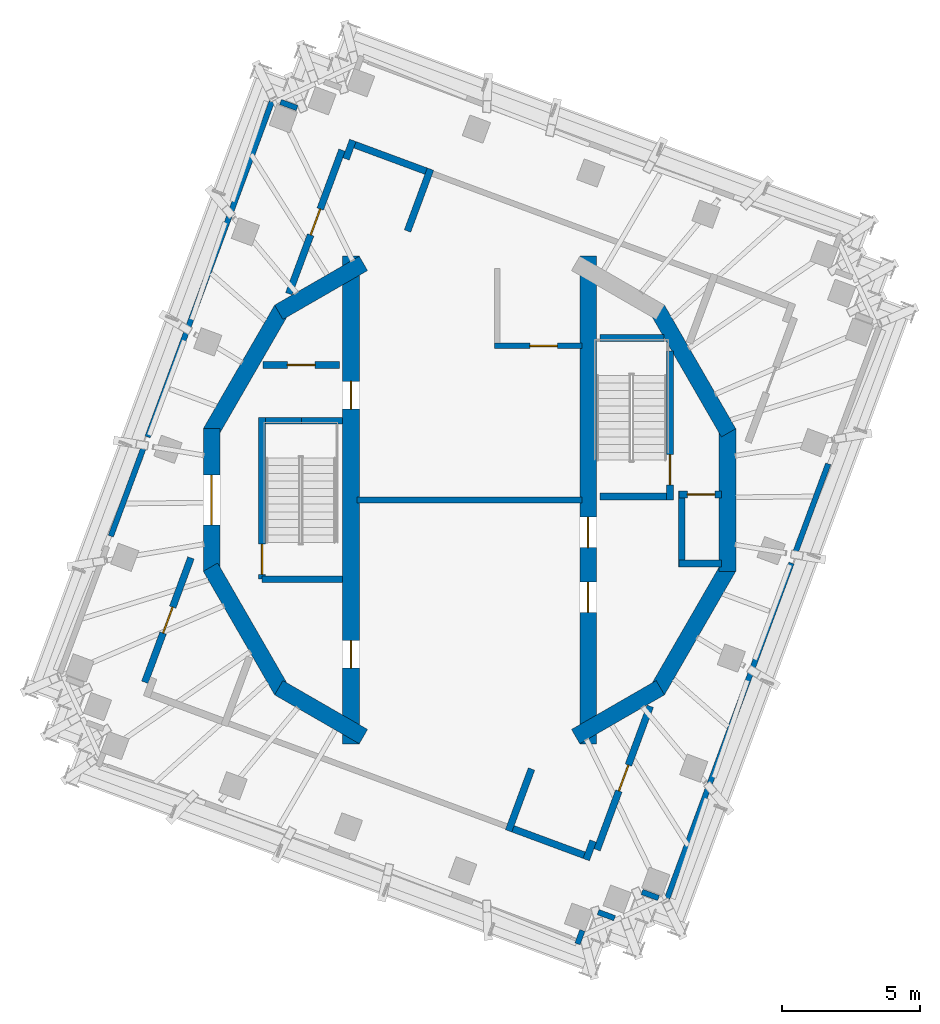
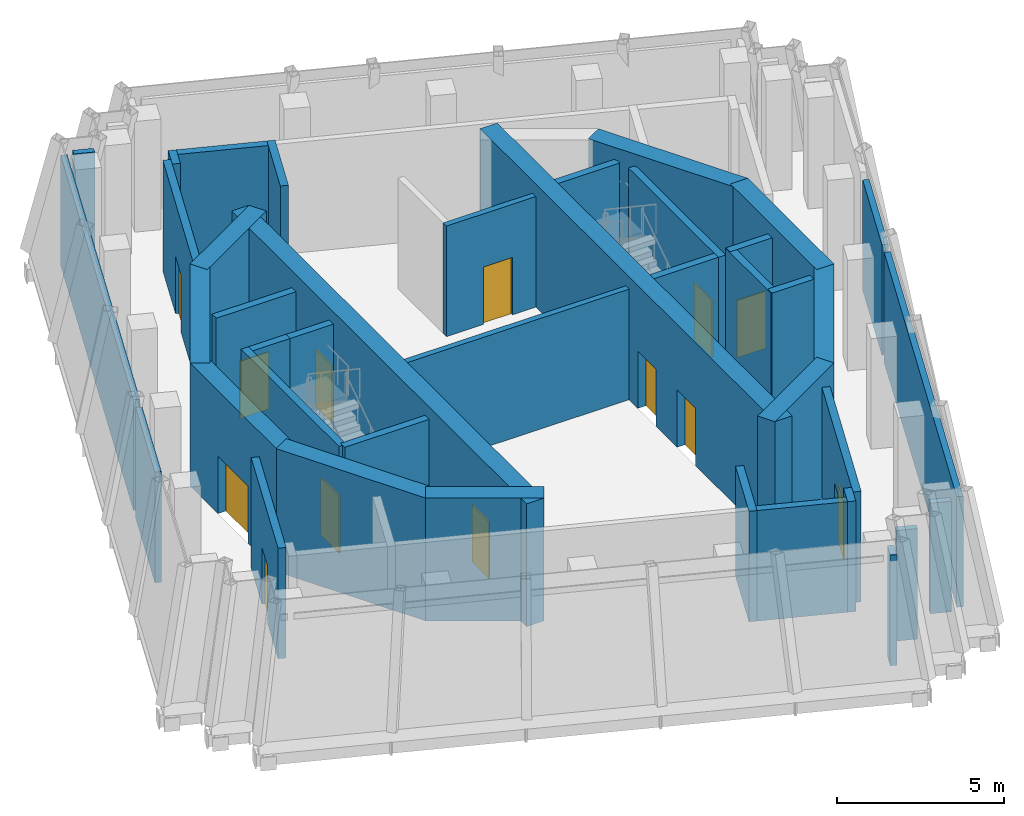
# One storey, part 5 of 12: 41 walls, 13 doors, 13 openings.
"""IFC4 building model written with IfcOpenShell, lengths in metres."""

import ifcopenshell
import ifcopenshell.guid

model = None  # the IFC model being written
_history = None  # IfcOwnerHistory: only IFC2X3 demands one
_inside = {}  # id of a spatial element -> (the spatial element, [elements in it])
_under = {}  # id of a project, library or spatial element -> (it, [spatial elements below it])
_declared = {}  # id of a project -> (the project, [libraries it declares])
_typed = {}  # id of a type object -> (the type object, [elements of that type])
_made_of = {}  # id of a material, layer set ... -> (it, [elements and type objects made of it])


def new_model(schema):
    """Start an empty IFC model of exactly this schema.

    Asked for "IFC4X3", IfcOpenShell would pick the latest addendum, in which some entities
    have other attributes; the version numbers below select the first issue.
    IFC2X3 requires an IfcOwnerHistory on every rooted entity: one is made here for all.
    """
    global model, _history
    if schema == "IFC4X3":
        model = ifcopenshell.file(schema_version=(4, 3, 0, 0))
    else:
        model = ifcopenshell.file(schema=schema)
    _inside.clear()
    _under.clear()
    _declared.clear()
    _typed.clear()
    _made_of.clear()
    _history = None
    if model.schema == "IFC2X3":
        org = make("IfcOrganization", Name="unknown")
        user = make(
            "IfcPersonAndOrganization",
            ThePerson=make("IfcPerson", FamilyName="unknown"),
            TheOrganization=org,
        )
        app = make(
            "IfcApplication",
            ApplicationDeveloper=org,
            Version="unknown",
            ApplicationFullName="unknown",
            ApplicationIdentifier="unknown",
        )
        _history = make(
            "IfcOwnerHistory",
            OwningUser=user,
            OwningApplication=app,
            ChangeAction="ADDED",
            CreationDate=0,
        )
    return model


def make(cls, **values):
    """One entity of the class cls with the attributes given. An attribute that is None is left unset."""
    return model.create_entity(
        cls, **{name: value for name, value in values.items() if value is not None}
    )


def rooted(cls, **values):
    """An entity with a GlobalId (a new one), such as an element, a storey or a relation."""
    return make(cls, GlobalId=ifcopenshell.guid.new(), OwnerHistory=_history, **values)


def si_unit(unit_type, name, prefix=None):
    """IfcSIUnit, for example si_unit("LENGTHUNIT", "METRE", prefix="MILLI")."""
    return make("IfcSIUnit", UnitType=unit_type, Prefix=prefix, Name=name)


def assignment(units):
    """IfcUnitAssignment: the units of a project."""
    return None if units is None else make("IfcUnitAssignment", Units=units)


def point(xyz):
    """IfcCartesianPoint."""
    return None if xyz is None else make("IfcCartesianPoint", Coordinates=xyz)


def direction(xyz):
    """IfcDirection."""
    return None if xyz is None else make("IfcDirection", DirectionRatios=xyz)


def frame(location, z_axis=None, x_axis=None):
    """IfcAxis2Placement3D, a coordinate frame: its origin and axes. An axis left out is left unset."""
    return make(
        "IfcAxis2Placement3D",
        Location=point(location),
        Axis=direction(z_axis),
        RefDirection=direction(x_axis),
    )


def frame_2d(location, x_axis=None):
    """IfcAxis2Placement2D, a coordinate frame in the plane: its origin and x axis."""
    return make(
        "IfcAxis2Placement2D", Location=point(location), RefDirection=direction(x_axis)
    )


def origin():
    """The frame at (0, 0, 0) with its axes left unset."""
    return frame((0.0, 0.0, 0.0))


def place(relative_to, where):
    """IfcLocalPlacement: puts the frame where relative to a parent placement (None: the world)."""
    return make(
        "IfcLocalPlacement", PlacementRelTo=relative_to, RelativePlacement=where
    )


def context(
    kind, dimensions, precision=None, world=None, true_north=None, identifier=None
):
    """IfcGeometricRepresentationContext, for example the 3D "Model" context."""
    return make(
        "IfcGeometricRepresentationContext",
        ContextIdentifier=identifier,
        ContextType=kind,
        CoordinateSpaceDimension=dimensions,
        Precision=precision,
        WorldCoordinateSystem=world,
        TrueNorth=true_north,
    )


def subcontext(parent, identifier, kind, view, scale=None):
    """IfcGeometricRepresentationSubContext, for example "Body" below "Model"."""
    return make(
        "IfcGeometricRepresentationSubContext",
        ContextIdentifier=identifier,
        ContextType=kind,
        ParentContext=parent,
        TargetScale=scale,
        TargetView=view,
    )


def project(units=None, contexts=None):
    """IfcProject with its units and contexts."""
    return rooted(
        "IfcProject",
        Name="project",
        RepresentationContexts=contexts,
        UnitsInContext=assignment(units),
    )


def spatial(cls, under=None, at=None, **own):
    """A site, building, storey or space (cls), placed at a placement, below another one or the project."""
    s = rooted(cls, ObjectPlacement=at, **own)
    if under is not None:
        _under.setdefault(under.id(), (under, []))[1].append(s)
    return s


def profile(cls, at=None, kind="AREA", **sizes):
    """A parametric profile (cls). Its sizes go by their IFC names, for example OverallWidth=200.0."""
    return make(cls, ProfileType=kind, Position=at, **sizes)


def rectangle(**sizes):
    """IfcRectangleProfileDef."""
    return profile("IfcRectangleProfileDef", **sizes)


def extrude(swept, where, along, depth):
    """IfcExtrudedAreaSolid: the profile swept, set in the frame where, extruded along a direction by depth."""
    return make(
        "IfcExtrudedAreaSolid",
        SweptArea=swept,
        Position=where,
        ExtrudedDirection=direction(along),
        Depth=depth,
    )


def shape(context_of_items, identifier, shape_type, items):
    """IfcShapeRepresentation: the items that make up one representation, for example the "Body"."""
    return make(
        "IfcShapeRepresentation",
        ContextOfItems=context_of_items,
        RepresentationIdentifier=identifier,
        RepresentationType=shape_type,
        Items=items,
    )


def material(Name=None, Category=None):
    """IfcMaterial."""
    return make("IfcMaterial", Name=Name, Category=Category)


def layer(
    of_material, thickness, ventilated=None, Name=None, Category=None, Priority=None
):
    """IfcMaterialLayer: one layer of a wall or slab, of a material (None: an air gap)."""
    return make(
        "IfcMaterialLayer",
        Material=of_material,
        LayerThickness=thickness,
        IsVentilated=ventilated,
        Name=Name,
        Category=Category,
        Priority=Priority,
    )


def layer_set(layers, Name=None):
    """IfcMaterialLayerSet."""
    return make("IfcMaterialLayerSet", MaterialLayers=layers, LayerSetName=Name)


def made_of(thing, what):
    """Note that an element or type object is made of a material, layer set ...; save() writes the relation."""
    if what is not None:
        _made_of.setdefault(what.id(), (what, []))[1].append(thing)
    return thing


def type_object(cls, material=None, **own):
    """A type object (cls), such as IfcWallType, which elements share."""
    return made_of(rooted(cls, **own), material)


def element(
    cls,
    number,
    at=None,
    inside=None,
    cuts=None,
    type_object=None,
    material=None,
    context=None,
    identifier="Body",
    shape_type=None,
    held_by="IfcProductDefinitionShape",
    body=None,
    shapes=None,
    **own,
):
    """One element of the class cls, such as IfcWall. Its Tag is "e" and its number.

    at: its placement. inside: the storey or other place that contains it. cuts: it is an
    opening in that element (IfcRelVoidsElement). A single representation is given by context,
    identifier, shape_type and body (its items); several are given by shapes. held_by: the class
    of the entity that holds the representations. save() writes the other relations.
    """
    e = rooted(cls, Tag="e%d" % number, ObjectPlacement=at, **own)
    if body is not None:
        shapes = [shape(context, identifier, shape_type, body)]
    if shapes is not None:
        e.Representation = make(held_by, Representations=shapes)
    if inside is not None:
        _inside.setdefault(inside.id(), (inside, []))[1].append(e)
    if cuts is not None:
        rooted(
            "IfcRelVoidsElement", RelatingBuildingElement=cuts, RelatedOpeningElement=e
        )
    if type_object is not None:
        _typed.setdefault(type_object.id(), (type_object, []))[1].append(e)
    return made_of(e, material)


def fill(opening, filler):
    """IfcRelFillsElement: the door or window that sits in an opening."""
    return rooted(
        "IfcRelFillsElement",
        RelatingOpeningElement=opening,
        RelatedBuildingElement=filler,
    )


def aggregate(whole, parts):
    """IfcRelAggregates: a whole, such as a stair, and the parts it consists of."""
    return rooted("IfcRelAggregates", RelatingObject=whole, RelatedObjects=parts)


def save(model, path):
    """Write the relations noted so far, then the file.

    IfcRelAggregates (storeys below a building ...), IfcRelContainedInSpatialStructure (elements
    in a storey), IfcRelDefinesByType, IfcRelAssociatesMaterial and IfcRelDeclares: one each for
    every whole, place, type object, material and project.
    """
    for whole, parts in _under.values():
        aggregate(whole, parts)
    for where, things in _inside.values():
        rooted(
            "IfcRelContainedInSpatialStructure",
            RelatedElements=things,
            RelatingStructure=where,
        )
    for kind, things in _typed.values():
        rooted("IfcRelDefinesByType", RelatedObjects=things, RelatingType=kind)
    for what, things in _made_of.values():
        rooted("IfcRelAssociatesMaterial", RelatedObjects=things, RelatingMaterial=what)
    for by, libraries in _declared.values():
        rooted("IfcRelDeclares", RelatingContext=by, RelatedDefinitions=libraries)
    model.write(path)


model = new_model("IFC4")

# Units and contexts
model_context = context("Model", 3, precision=1e-05, world=origin(), true_north=direction((0.0, 1.0)))
body_context = subcontext(model_context, "Body", "Model", "MODEL_VIEW")
ifc_project = project(units=[si_unit("LENGTHUNIT", "METRE"), si_unit("AREAUNIT", "SQUARE_METRE"), si_unit("VOLUMEUNIT", "CUBIC_METRE"), si_unit("PLANEANGLEUNIT", "RADIAN"), si_unit("MASSUNIT", "GRAM", prefix="KILO")], contexts=[model_context])

# Site, building, storey
site_placement = place(None, origin())
site = spatial("IfcSite", under=ifc_project, at=site_placement, CompositionType="ELEMENT")
building_placement = place(site_placement, origin())
building = spatial("IfcBuilding", under=site, at=building_placement, Name="Cantera Rosa Tower", CompositionType="ELEMENT")
storey_placement = place(building_placement, frame((0.0, 0.0, 360.699951171875)))
storey = spatial("IfcBuildingStorey", under=building, at=storey_placement, Name="L81", CompositionType="ELEMENT", Elevation=360.699951171875)

# Walls
ifc_material_1 = material(Name="Masonry blockwork", Category="masonry")
ifc_layer_1 = layer(ifc_material_1, 0.199951171875)
ifc_layer_set_1 = layer_set([ifc_layer_1], Name="Blockwork partition 200")
wall_type_1 = type_object("IfcWallType", Name="Blockwork partition 200", PredefinedType="PARTITIONING", material=ifc_layer_set_1)
for number, where, z_axis, x_axis, name in (
    (1, (5.263427734375, -15.173583984375, 0.0), (0.0, 0.0, 1.0), (-0.937670508839, 0.347525562877, 0.0), "Partition L81-26"),
    (2, (6.857177734375, -14.441650390625, 0.0), (0.0, 0.0, 1.0), (-0.937670508839, 0.347525562877, 0.0), "Partition L81-28"),
):
    element("IfcWall", number, at=place(storey_placement, frame(where, z_axis=z_axis, x_axis=x_axis)), inside=storey, type_object=wall_type_1, Name=name, PredefinedType="PARTITIONING", context=body_context, shape_type="SweptSolid", body=[
        extrude(rectangle(XDim=0.639892578125, YDim=0.199951171875, at=frame_2d((0.31982421875, 0.0))), origin(), (0.0, 0.0, 1.0), 4.050048828125),
    ])
wall_1_placement = place(storey_placement, frame((-13.01513671875, -1.3125, 0.0), z_axis=(0.0, 0.0, 1.0), x_axis=(0.347464624202, 0.937693092076, 0.0)))
element("IfcWall", 3, at=wall_1_placement, inside=storey, type_object=wall_type_1, Name="Partition L81-31", PredefinedType="PARTITIONING", context=body_context, shape_type="SweptSolid", body=[
    extrude(rectangle(XDim=3.439453125, YDim=0.199951171875, at=frame_2d((1.7197265625, 0.0))), origin(), (0.0, 0.0, 1.0), 4.050048828125),
])
wall_2_placement = place(storey_placement, frame((-11.680908203125, 2.28759765625, 0.0), z_axis=(0.0, 0.0, 1.0), x_axis=(0.34747861598, 0.937687907268, 0.0)))
element("IfcWall", 4, at=wall_2_placement, inside=storey, type_object=wall_type_1, Name="Partition L81-32", PredefinedType="PARTITIONING", context=body_context, shape_type="SweptSolid", body=[
    extrude(rectangle(XDim=12.972900390625, YDim=0.199951171875, at=frame_2d((6.486328125, 0.0))), origin(), (0.0, 0.0, 1.0), 4.050048828125),
])
wall_3_placement = place(storey_placement, frame((-6.257080078125, 14.21923828125, 0.0), z_axis=(0.0, 0.0, 1.0), x_axis=(-0.937670508839, 0.347525562877, 0.0)))
element("IfcWall", 5, at=wall_3_placement, inside=storey, type_object=wall_type_1, Name="Partition L81-34", PredefinedType="PARTITIONING", context=body_context, shape_type="SweptSolid", body=[
    extrude(rectangle(XDim=0.639892578125, YDim=0.199951171875, at=frame_2d((0.31982421875, 0.0))), origin(), (0.0, 0.0, 1.0), 4.050048828125),
])
wall_4_placement = place(storey_placement, frame((3.91650390625, -16.103271484375, 0.0), z_axis=(0.0, 0.0, 1.0), x_axis=(0.347391322771, 0.937720250855, 0.0)))
element("IfcWall", 6, at=wall_4_placement, inside=storey, type_object=wall_type_1, Name="Partition L81-38", PredefinedType="PARTITIONING", context=body_context, shape_type="SweptSolid", body=[
    extrude(rectangle(XDim=0.5166015625, YDim=0.199951171875, at=frame_2d((0.25830078125, 0.0))), origin(), (0.0, 0.0, 1.0), 4.050048828125),
])
wall_5_placement = place(storey_placement, frame((7.173095703125, -14.4521484375, 0.0), z_axis=(0.0, 0.0, 1.0), x_axis=(0.34747861598, 0.937687907268, 0.0)))
element("IfcWall", 7, at=wall_5_placement, inside=storey, type_object=wall_type_1, Name="Partition L81-40", PredefinedType="PARTITIONING", context=body_context, shape_type="SweptSolid", body=[
    extrude(rectangle(XDim=12.972900390625, YDim=0.199951171875, at=frame_2d((6.486328125, 0.0))), origin(), (0.0, 0.0, 1.0), 4.050048828125),
])
wall_6_placement = place(storey_placement, frame((11.820068359375, -1.91259765625, 0.0), z_axis=(0.0, 0.0, 1.0), x_axis=(0.347464624202, 0.937693092076, 0.0)))
element("IfcWall", 8, at=wall_6_placement, inside=storey, type_object=wall_type_1, Name="Partition L81-41", PredefinedType="PARTITIONING", context=body_context, shape_type="SweptSolid", body=[
    extrude(rectangle(XDim=3.439453125, YDim=0.199951171875, at=frame_2d((1.7197265625, 0.0))), origin(), (0.0, 0.0, 1.0), 4.050048828125),
])

# Wall, opening, door
wall_7_placement = place(storey_placement, frame((0.89990234375, 5.593994140625, 0.0), z_axis=(0.0, 0.0, 1.0), x_axis=(1.0, 0.0, 0.0)))
wall_7 = element("IfcWall", 9, at=wall_7_placement, inside=storey, type_object=wall_type_1, Name="Partition L81-STORE-A", PredefinedType="PARTITIONING", context=body_context, shape_type="SweptSolid", body=[
    extrude(rectangle(XDim=3.175048828125, YDim=0.199951171875, at=frame_2d((1.58740234375, 0.0))), origin(), (0.0, 0.0, 1.0), 4.050048828125),
])
opening_1_placement = place(wall_7_placement, frame((1.28759765625, 0.0, 0.0)))
opening_1 = element("IfcOpeningElement", 10, at=opening_1_placement, cuts=wall_7, Name="Opening L81-ST", PredefinedType="OPENING", context=body_context, shape_type="SweptSolid", body=[
    extrude(rectangle(XDim=1.0, YDim=2.10009765625, at=frame_2d((0.5, 1.050048828125))), frame((0.0, 0.10986328125, 0.0), z_axis=(0.0, -1.0, 0.0), x_axis=(1.0, 0.0, 0.0)), (0.0, 0.0, 1.0), 0.219970703125),
])
ifc_material_2 = material(Name="Timber", Category="wood")
door_type_1 = type_object("IfcDoorType", Name="Door 1000x2100", OperationType="NOTDEFINED", PredefinedType="DOOR", material=ifc_material_2)
door_1_placement = place(opening_1_placement, origin())
door_1 = element("IfcDoor", 11, at=door_1_placement, inside=storey, type_object=door_type_1, Name="Door L81-ST", OverallHeight=2.10009765625, OverallWidth=1.0, PredefinedType="DOOR", context=body_context, shape_type="SweptSolid", body=[
    extrude(rectangle(XDim=1.0, YDim=2.10009765625, at=frame_2d((0.5, 1.050048828125))), frame((0.0, 0.02490234375, 0.0), z_axis=(0.0, -1.0, 0.0), x_axis=(1.0, 0.0, 0.0)), (0.0, 0.0, 1.0), 0.050048828125),
])
fill(opening_1, door_1)

# Walls
wall_8_placement = place(storey_placement, frame((-4.074951171875, 0.0, 0.0), z_axis=(0.0, 0.0, 1.0), x_axis=(1.0, 0.0, 0.0)))
element("IfcWall", 12, at=wall_8_placement, inside=storey, type_object=wall_type_1, Name="Partition L81-SLOT", PredefinedType="PARTITIONING", context=body_context, shape_type="SweptSolid", body=[
    extrude(rectangle(XDim=8.14990234375, YDim=0.199951171875, at=frame_2d((4.074951171875, 0.0))), origin(), (0.0, 0.0, 1.0), 4.050048828125),
])
ifc_material_3 = material(Name="Masonry blockwork", Category="masonry")
ifc_layer_2 = layer(ifc_material_3, 0.25)
ifc_layer_set_2 = layer_set([ifc_layer_2], Name="Fire-rated external wall 250")
wall_type_2 = type_object("IfcWallType", Name="Fire-rated external wall 250", PredefinedType="PARTITIONING", material=ifc_layer_set_2)
for number, where, z_axis, x_axis, name in (
    (13, (-2.2490234375, 9.75927734375, 0.0), (0.0, 0.0, 1.0), (0.347500323274, 0.937679862919, 0.0), "Fire wall L81-2"),
    (14, (1.4169921875, -12.00439453125, 0.0), (0.0, 0.0, 1.0), (0.347500323274, 0.937679862919, 0.0), "Fire wall L81-21"),
):
    element("IfcWall", number, at=place(storey_placement, frame(where, z_axis=z_axis, x_axis=x_axis)), inside=storey, type_object=wall_type_2, Name=name, PredefinedType="PARTITIONING", context=body_context, shape_type="SweptSolid", body=[
        extrude(rectangle(XDim=2.394287109375, YDim=0.25, at=frame_2d((1.197265625, 0.0))), origin(), (0.0, 0.0, 1.0), 4.050048828125),
    ])
ifc_material_4 = material(Name="Masonry blockwork", Category="masonry")
ifc_layer_3 = layer(ifc_material_4, 0.25)
ifc_layer_set_3 = layer_set([ifc_layer_3], Name="Fire-rated wall 250")
wall_type_3 = type_object("IfcWallType", Name="Fire-rated wall 250", PredefinedType="PARTITIONING", material=ifc_layer_set_3)
wall_9_placement = place(storey_placement, frame((4.15966796875, -12.887451171875, 0.0), z_axis=(0.0, 0.0, 1.0), x_axis=(-0.937692064281, 0.347467397874, 0.0)))
element("IfcWall", 15, at=wall_9_placement, inside=storey, type_object=wall_type_3, Name="Fire wall L81-3", PredefinedType="PARTITIONING", context=body_context, shape_type="SweptSolid", body=[
    extrude(rectangle(XDim=2.753662109375, YDim=0.25, at=frame_2d((1.376953125, 0.0))), origin(), (0.0, 0.0, 1.0), 4.050048828125),
])
wall_10_placement = place(storey_placement, frame((-4.483154296875, 12.373779296875, 0.0), z_axis=(0.0, 0.0, 1.0), x_axis=(0.347325413636, 0.937744665164, 0.0)))
element("IfcWall", 16, at=wall_10_placement, inside=storey, type_object=wall_type_3, Name="Fire wall L81-7", PredefinedType="PARTITIONING", context=body_context, shape_type="SweptSolid", body=[
    extrude(rectangle(XDim=0.718994140625, YDim=0.25, at=frame_2d((0.359375, 0.0))), origin(), (0.0, 0.0, 1.0), 4.050048828125),
])

# Wall, opening, door
wall_11_placement = place(storey_placement, frame((-11.7802734375, -6.613525390625, 0.0), z_axis=(0.0, 0.0, 1.0), x_axis=(0.347535704598, 0.937666749986, 0.0)))
wall_11 = element("IfcWall", 17, at=wall_11_placement, inside=storey, type_object=wall_type_3, Name="Fire wall L81-8", PredefinedType="PARTITIONING", context=body_context, shape_type="SweptSolid", body=[
    extrude(rectangle(XDim=4.8134765625, YDim=0.25, at=frame_2d((2.40673828125, 0.0))), origin(), (0.0, 0.0, 1.0), 4.050048828125),
])
opening_2_placement = place(wall_11_placement, frame((1.90673828125, 0.0, 0.0)))
opening_2 = element("IfcOpeningElement", 18, at=opening_2_placement, cuts=wall_11, Name="Opening L81-001", PredefinedType="OPENING", context=body_context, shape_type="SweptSolid", body=[
    extrude(rectangle(XDim=1.0, YDim=2.10009765625, at=frame_2d((0.5, 1.050048828125))), frame((0.0, 0.135009765625, 0.0), z_axis=(0.0, -1.0, 0.0), x_axis=(1.0, 0.0, 0.0)), (0.0, 0.0, 1.0), 0.27001953125),
])
ifc_material_5 = material(Name="Steel S355J2 (EN 10025-2)", Category="steel")
door_type_2 = type_object("IfcDoorType", Name="Fire door 1000x2100", OperationType="NOTDEFINED", PredefinedType="DOOR", material=ifc_material_5)
door_2_placement = place(opening_2_placement, origin())
door_2 = element("IfcDoor", 19, at=door_2_placement, inside=storey, type_object=door_type_2, Name="Door L81-001", OverallHeight=2.10009765625, OverallWidth=1.0, PredefinedType="DOOR", context=body_context, shape_type="SweptSolid", body=[
    extrude(rectangle(XDim=1.0, YDim=2.10009765625, at=frame_2d((0.5, 1.050048828125))), frame((0.0, 0.02490234375, 0.0), z_axis=(0.0, -1.0, 0.0), x_axis=(1.0, 0.0, 0.0)), (0.0, 0.0, 1.0), 0.050048828125),
])
fill(opening_2, door_2)

wall_12_placement = place(storey_placement, frame((-6.555908203125, 7.48388671875, 0.0), z_axis=(0.0, 0.0, 1.0), x_axis=(0.347484675767, 0.937685661673, 0.0)))
wall_12 = element("IfcWall", 20, at=wall_12_placement, inside=storey, type_object=wall_type_3, Name="Fire wall L81-11", PredefinedType="PARTITIONING", context=body_context, shape_type="SweptSolid", body=[
    extrude(rectangle(XDim=5.555419921875, YDim=0.25, at=frame_2d((2.77783203125, 0.0))), origin(), (0.0, 0.0, 1.0), 4.050048828125),
])
opening_3_placement = place(wall_12_placement, frame((2.277587890625, 0.0, 0.0)))
opening_3 = element("IfcOpeningElement", 21, at=opening_3_placement, cuts=wall_12, Name="Opening L81-002", PredefinedType="OPENING", context=body_context, shape_type="SweptSolid", body=[
    extrude(rectangle(XDim=1.0, YDim=2.10009765625, at=frame_2d((0.5, 1.050048828125))), frame((0.0, 0.135009765625, 0.0), z_axis=(0.0, -1.0, 0.0), x_axis=(1.0, 0.0, 0.0)), (0.0, 0.0, 1.0), 0.27001953125),
])
door_3_placement = place(opening_3_placement, origin())
door_3 = element("IfcDoor", 22, at=door_3_placement, inside=storey, type_object=door_type_2, Name="Door L81-002", OverallHeight=2.10009765625, OverallWidth=1.0, PredefinedType="DOOR", context=body_context, shape_type="SweptSolid", body=[
    extrude(rectangle(XDim=1.0, YDim=2.10009765625, at=frame_2d((0.5, 1.050048828125))), frame((0.0, 0.02490234375, 0.0), z_axis=(0.0, -1.0, 0.0), x_axis=(1.0, 0.0, 0.0)), (0.0, 0.0, 1.0), 0.050048828125),
])
fill(opening_3, door_3)

# Wall
wall_13_placement = place(storey_placement, frame((-1.57763671875, 11.9306640625, 0.0), z_axis=(0.0, 0.0, 1.0), x_axis=(-0.937692064281, 0.347467397874, 0.0)))
element("IfcWall", 23, at=wall_13_placement, inside=storey, type_object=wall_type_3, Name="Fire wall L81-14", PredefinedType="PARTITIONING", context=body_context, shape_type="SweptSolid", body=[
    extrude(rectangle(XDim=2.753662109375, YDim=0.25, at=frame_2d((1.376953125, 0.0))), origin(), (0.0, 0.0, 1.0), 4.050048828125),
])

# Wall, opening, door
wall_14_placement = place(storey_placement, frame((4.62548828125, -12.693115234375, 0.0), z_axis=(0.0, 0.0, 1.0), x_axis=(0.347484675767, 0.937685661673, 0.0)))
wall_14 = element("IfcWall", 24, at=wall_14_placement, inside=storey, type_object=wall_type_3, Name="Fire wall L81-15", PredefinedType="PARTITIONING", context=body_context, shape_type="SweptSolid", body=[
    extrude(rectangle(XDim=5.555419921875, YDim=0.25, at=frame_2d((2.77783203125, 0.0))), origin(), (0.0, 0.0, 1.0), 4.050048828125),
])
opening_4_placement = place(wall_14_placement, frame((2.277587890625, 0.0, 0.0)))
opening_4 = element("IfcOpeningElement", 25, at=opening_4_placement, cuts=wall_14, Name="Opening L81-003", PredefinedType="OPENING", context=body_context, shape_type="SweptSolid", body=[
    extrude(rectangle(XDim=1.0, YDim=2.10009765625, at=frame_2d((0.5, 1.050048828125))), frame((0.0, 0.135009765625, 0.0), z_axis=(0.0, -1.0, 0.0), x_axis=(1.0, 0.0, 0.0)), (0.0, 0.0, 1.0), 0.27001953125),
])
door_4_placement = place(opening_4_placement, origin())
door_4 = element("IfcDoor", 26, at=door_4_placement, inside=storey, type_object=door_type_2, Name="Door L81-003", OverallHeight=2.10009765625, OverallWidth=1.0, PredefinedType="DOOR", context=body_context, shape_type="SweptSolid", body=[
    extrude(rectangle(XDim=1.0, YDim=2.10009765625, at=frame_2d((0.5, 1.050048828125))), frame((0.0, 0.02490234375, 0.0), z_axis=(0.0, -1.0, 0.0), x_axis=(1.0, 0.0, 0.0)), (0.0, 0.0, 1.0), 0.050048828125),
])
fill(opening_4, door_4)

# Wall
wall_15_placement = place(storey_placement, frame((4.2333984375, -13.048095703125, 0.0), z_axis=(0.0, 0.0, 1.0), x_axis=(0.347325413636, 0.937744665164, 0.0)))
element("IfcWall", 27, at=wall_15_placement, inside=storey, type_object=wall_type_3, Name="Fire wall L81-19", PredefinedType="PARTITIONING", context=body_context, shape_type="SweptSolid", body=[
    extrude(rectangle(XDim=0.718994140625, YDim=0.25, at=frame_2d((0.359375, 0.0))), origin(), (0.0, 0.0, 1.0), 4.050048828125),
])

# Wall, opening, door
wall_16_placement = place(storey_placement, frame((-7.4873046875, 4.89990234375, 0.0), z_axis=(0.0, 0.0, 1.0), x_axis=(1.0, 0.0, 0.0)))
wall_16 = element("IfcWall", 28, at=wall_16_placement, inside=storey, type_object=wall_type_3, Name="Fire wall L81-SVC", PredefinedType="PARTITIONING", context=body_context, shape_type="SweptSolid", body=[
    extrude(rectangle(XDim=2.76220703125, YDim=0.25, at=frame_2d((1.381103515625, 0.0))), origin(), (0.0, 0.0, 1.0), 4.050048828125),
])
opening_5_placement = place(wall_16_placement, frame((0.881103515625, 0.0, 0.0)))
opening_5 = element("IfcOpeningElement", 29, at=opening_5_placement, cuts=wall_16, Name="Opening L81-SV", PredefinedType="OPENING", context=body_context, shape_type="SweptSolid", body=[
    extrude(rectangle(XDim=1.0, YDim=2.10009765625, at=frame_2d((0.5, 1.050048828125))), frame((0.0, 0.135009765625, 0.0), z_axis=(0.0, -1.0, 0.0), x_axis=(1.0, 0.0, 0.0)), (0.0, 0.0, 1.0), 0.27001953125),
])
door_5_placement = place(opening_5_placement, origin())
door_5 = element("IfcDoor", 30, at=door_5_placement, inside=storey, type_object=door_type_2, Name="Door L81-SV", OverallHeight=2.10009765625, OverallWidth=1.0, PredefinedType="DOOR", context=body_context, shape_type="SweptSolid", body=[
    extrude(rectangle(XDim=1.0, YDim=2.10009765625, at=frame_2d((0.5, 1.050048828125))), frame((0.0, 0.02490234375, 0.0), z_axis=(0.0, -1.0, 0.0), x_axis=(1.0, 0.0, 0.0)), (0.0, 0.0, 1.0), 0.050048828125),
])
fill(opening_5, door_5)

wall_17_placement = place(storey_placement, frame((7.60009765625, 0.199951171875, 0.0), z_axis=(0.0, 0.0, 1.0), x_axis=(1.0, 0.0, 0.0)))
wall_17 = element("IfcWall", 31, at=wall_17_placement, inside=storey, type_object=wall_type_3, Name="Fire wall L81-RISER-N", PredefinedType="PARTITIONING", context=body_context, shape_type="SweptSolid", body=[
    extrude(rectangle(XDim=1.5498046875, YDim=0.25, at=frame_2d((0.77490234375, 0.0))), origin(), (0.0, 0.0, 1.0), 4.050048828125),
])
opening_6_placement = place(wall_17_placement, frame((0.300048828125, 0.0, 0.0)))
opening_6 = element("IfcOpeningElement", 32, at=opening_6_placement, cuts=wall_17, Name="Opening L81-RF", PredefinedType="OPENING", context=body_context, shape_type="SweptSolid", body=[
    extrude(rectangle(XDim=1.0, YDim=2.10009765625, at=frame_2d((0.5, 1.050048828125))), frame((0.0, 0.135009765625, 0.0), z_axis=(0.0, -1.0, 0.0), x_axis=(1.0, 0.0, 0.0)), (0.0, 0.0, 1.0), 0.27001953125),
])
door_6_placement = place(opening_6_placement, origin())
door_6 = element("IfcDoor", 33, at=door_6_placement, inside=storey, type_object=door_type_2, Name="Door L81-RF", OverallHeight=2.10009765625, OverallWidth=1.0, PredefinedType="DOOR", context=body_context, shape_type="SweptSolid", body=[
    extrude(rectangle(XDim=1.0, YDim=2.10009765625, at=frame_2d((0.5, 1.050048828125))), frame((0.0, 0.02490234375, 0.0), z_axis=(0.0, -1.0, 0.0), x_axis=(1.0, 0.0, 0.0)), (0.0, 0.0, 1.0), 0.050048828125),
])
fill(opening_6, door_6)

# Walls
wall_18_placement = place(storey_placement, frame((7.699951171875, -2.425048828125, 0.0), z_axis=(0.0, 0.0, 1.0), x_axis=(0.0, 1.0, 0.0)))
element("IfcWall", 34, at=wall_18_placement, inside=storey, type_object=wall_type_3, Name="Fire wall L81-RISER-W", PredefinedType="PARTITIONING", context=body_context, shape_type="SweptSolid", body=[
    extrude(rectangle(XDim=2.75, YDim=0.25, at=frame_2d((1.375, 0.0))), origin(), (0.0, 0.0, 1.0), 4.050048828125),
])
wall_19_placement = place(storey_placement, frame((7.60009765625, -2.300048828125, 0.0), z_axis=(0.0, 0.0, 1.0), x_axis=(1.0, 0.0, 0.0)))
element("IfcWall", 35, at=wall_19_placement, inside=storey, type_object=wall_type_3, Name="Fire wall L81-RISER-S", PredefinedType="PARTITIONING", context=body_context, shape_type="SweptSolid", body=[
    extrude(rectangle(XDim=1.5498046875, YDim=0.25, at=frame_2d((0.77490234375, 0.0))), origin(), (0.0, 0.0, 1.0), 4.050048828125),
])
ifc_material_6 = material(Name="Concrete C50/60", Category="concrete")
ifc_layer_4 = layer(ifc_material_6, 0.60009765625)
ifc_layer_set_4 = layer_set([ifc_layer_4], Name="RC CORE WALL 600 C50/60")
wall_type_4 = type_object("IfcWallType", Name="RC CORE WALL 600 C50/60", PredefinedType="SHEAR", material=ifc_layer_set_4)
wall_20_placement = place(storey_placement, frame((-3.85009765625, -8.584228515625, 0.0), z_axis=(0.0, 0.0, 1.0), x_axis=(-0.866039982607, 0.499974747889, 0.0)))
element("IfcWall", 36, at=wall_20_placement, inside=storey, type_object=wall_type_4, Name="CW-W1 L81", PredefinedType="SHEAR", context=body_context, shape_type="SweptSolid", body=[
    extrude(rectangle(XDim=3.546142578125, YDim=0.60009765625, at=frame_2d((1.77294921875, 0.0))), origin(), (0.0, 0.0, 1.0), 4.5),
])
wall_21_placement = place(storey_placement, frame((-6.811279296875, -6.921142578125, 0.0), z_axis=(0.0, 0.0, 1.0), x_axis=(-0.499989188378, 0.866031645787, 0.0)))
element("IfcWall", 37, at=wall_21_placement, inside=storey, type_object=wall_type_4, Name="CW-W2 L81", PredefinedType="SHEAR", context=body_context, shape_type="SweptSolid", body=[
    extrude(rectangle(XDim=5.17626953125, YDim=0.60009765625, at=frame_2d((2.588134765625, 0.0))), origin(), (0.0, 0.0, 1.0), 4.5),
])

# Wall, opening, door
wall_22_placement = place(storey_placement, frame((-9.359375, -2.588134765625, 0.0), z_axis=(0.0, 0.0, 1.0), x_axis=(0.0, 1.0, 0.0)))
wall_22 = element("IfcWall", 38, at=wall_22_placement, inside=storey, type_object=wall_type_4, Name="CW-W3 L81", PredefinedType="SHEAR", context=body_context, shape_type="SweptSolid", body=[
    extrude(rectangle(XDim=5.17626953125, YDim=0.60009765625, at=frame_2d((2.588134765625, 0.0))), origin(), (0.0, 0.0, 1.0), 4.5),
])
opening_7_placement = place(wall_22_placement, frame((1.688232421875, 0.0, 0.0)))
opening_7 = element("IfcOpeningElement", 39, at=opening_7_placement, cuts=wall_22, Name="Opening L81-ST-71-L", PredefinedType="OPENING", context=body_context, shape_type="SweptSolid", body=[
    extrude(rectangle(XDim=1.800048828125, YDim=2.10009765625, at=frame_2d((0.89990234375, 1.050048828125))), frame((0.0, 0.31005859375, 0.0), z_axis=(0.0, -1.0, 0.0), x_axis=(1.0, 0.0, 0.0)), (0.0, 0.0, 1.0), 0.6201171875),
])
ifc_material_7 = material(Name="Steel S355J2 (EN 10025-2)", Category="steel")
door_type_3 = type_object("IfcDoorType", Name="FIRE DOOR 1800x2100", OperationType="NOTDEFINED", PredefinedType="DOOR", material=ifc_material_7)
door_7_placement = place(opening_7_placement, origin())
door_7 = element("IfcDoor", 40, at=door_7_placement, inside=storey, type_object=door_type_3, Name="DOOR L81-ST-71-L", OperationType="NOTDEFINED", OverallHeight=2.10009765625, OverallWidth=1.800048828125, PredefinedType="DOOR", context=body_context, shape_type="SweptSolid", body=[
    extrude(rectangle(XDim=1.800048828125, YDim=2.10009765625, at=frame_2d((0.89990234375, 1.050048828125))), frame((0.0, 0.02490234375, 0.0), z_axis=(0.0, -1.0, 0.0), x_axis=(1.0, 0.0, 0.0)), (0.0, 0.0, 1.0), 0.050048828125),
])
fill(opening_7, door_7)

# Walls
wall_23_placement = place(storey_placement, frame((-9.3994140625, 2.438232421875, 0.0), z_axis=(0.0, 0.0, 1.0), x_axis=(0.499989188378, 0.866031645787, 0.0)))
element("IfcWall", 41, at=wall_23_placement, inside=storey, type_object=wall_type_4, Name="CW-W4 L81", PredefinedType="SHEAR", context=body_context, shape_type="SweptSolid", body=[
    extrude(rectangle(XDim=5.17626953125, YDim=0.60009765625, at=frame_2d((2.588134765625, 0.0))), origin(), (0.0, 0.0, 1.0), 4.5),
])
wall_24_placement = place(storey_placement, frame((-6.921142578125, 6.811279296875, 0.0), z_axis=(0.0, 0.0, 1.0), x_axis=(0.866039982607, 0.499974747889, 0.0)))
element("IfcWall", 42, at=wall_24_placement, inside=storey, type_object=wall_type_4, Name="CW-W5 L81", PredefinedType="SHEAR", context=body_context, shape_type="SweptSolid", body=[
    extrude(rectangle(XDim=3.546142578125, YDim=0.60009765625, at=frame_2d((1.77294921875, 0.0))), origin(), (0.0, 0.0, 1.0), 4.5),
])

# Wall, openings, doors
wall_25_placement = place(storey_placement, frame((-4.300048828125, 8.84423828125, 0.0), z_axis=(0.0, 0.0, 1.0), x_axis=(0.0, -1.0, 0.0)))
wall_25 = element("IfcWall", 43, at=wall_25_placement, inside=storey, type_object=wall_type_4, Name="CW-W6 L81", PredefinedType="SHEAR", context=body_context, shape_type="SweptSolid", body=[
    extrude(rectangle(XDim=17.6884765625, YDim=0.60009765625, at=frame_2d((8.84423828125, 0.0))), origin(), (0.0, 0.0, 1.0), 4.5),
])
opening_8_placement = place(wall_25_placement, frame((4.5439453125, 0.0, 0.0)))
opening_8 = element("IfcOpeningElement", 44, at=opening_8_placement, cuts=wall_25, Name="Opening L81-SN", PredefinedType="OPENING", context=body_context, shape_type="SweptSolid", body=[
    extrude(rectangle(XDim=1.0, YDim=2.10009765625, at=frame_2d((0.5, 1.050048828125))), frame((0.0, 0.31005859375, 0.0), z_axis=(0.0, -1.0, 0.0), x_axis=(1.0, 0.0, 0.0)), (0.0, 0.0, 1.0), 0.6201171875),
])
opening_9_placement = place(wall_25_placement, frame((13.944091796875, 0.0, 0.0)))
opening_9 = element("IfcOpeningElement", 45, at=opening_9_placement, cuts=wall_25, Name="Opening L81-SS", PredefinedType="OPENING", context=body_context, shape_type="SweptSolid", body=[
    extrude(rectangle(XDim=1.0, YDim=2.10009765625, at=frame_2d((0.5, 1.050048828125))), frame((0.0, 0.31005859375, 0.0), z_axis=(0.0, -1.0, 0.0), x_axis=(1.0, 0.0, 0.0)), (0.0, 0.0, 1.0), 0.6201171875),
])
door_8_placement = place(opening_8_placement, origin())
door_8 = element("IfcDoor", 46, at=door_8_placement, inside=storey, type_object=door_type_2, Name="Door L81-SN", OverallHeight=2.10009765625, OverallWidth=1.0, PredefinedType="DOOR", context=body_context, shape_type="SweptSolid", body=[
    extrude(rectangle(XDim=1.0, YDim=2.10009765625, at=frame_2d((0.5, 1.050048828125))), frame((0.0, 0.02490234375, 0.0), z_axis=(0.0, -1.0, 0.0), x_axis=(1.0, 0.0, 0.0)), (0.0, 0.0, 1.0), 0.050048828125),
])
fill(opening_8, door_8)
door_9_placement = place(opening_9_placement, origin())
door_9 = element("IfcDoor", 47, at=door_9_placement, inside=storey, type_object=door_type_2, Name="Door L81-SS", OverallHeight=2.10009765625, OverallWidth=1.0, PredefinedType="DOOR", context=body_context, shape_type="SweptSolid", body=[
    extrude(rectangle(XDim=1.0, YDim=2.10009765625, at=frame_2d((0.5, 1.050048828125))), frame((0.0, 0.02490234375, 0.0), z_axis=(0.0, -1.0, 0.0), x_axis=(1.0, 0.0, 0.0)), (0.0, 0.0, 1.0), 0.050048828125),
])
fill(opening_9, door_9)

# Walls
for number, where, z_axis, x_axis, name in (
    (48, (6.811279296875, 6.921142578125, 0.0), (0.0, 0.0, 1.0), (0.499989188378, -0.866031645787, 0.0), "CW-E2 L81"),
    (49, (9.359375, 2.588134765625, 0.0), (0.0, 0.0, 1.0), (0.0, -1.0, 0.0), "CW-E3 L81"),
    (50, (9.3994140625, -2.438232421875, 0.0), (0.0, 0.0, 1.0), (-0.499989188378, -0.866031645787, 0.0), "CW-E4 L81"),
):
    element("IfcWall", number, at=place(storey_placement, frame(where, z_axis=z_axis, x_axis=x_axis)), inside=storey, type_object=wall_type_4, Name=name, PredefinedType="SHEAR", context=body_context, shape_type="SweptSolid", body=[
        extrude(rectangle(XDim=5.17626953125, YDim=0.60009765625, at=frame_2d((2.588134765625, 0.0))), origin(), (0.0, 0.0, 1.0), 4.5),
    ])
wall_26_placement = place(storey_placement, frame((6.921142578125, -6.811279296875, 0.0), z_axis=(0.0, 0.0, 1.0), x_axis=(-0.866039982607, -0.499974747889, 0.0)))
element("IfcWall", 51, at=wall_26_placement, inside=storey, type_object=wall_type_4, Name="CW-E5 L81", PredefinedType="SHEAR", context=body_context, shape_type="SweptSolid", body=[
    extrude(rectangle(XDim=3.546142578125, YDim=0.60009765625, at=frame_2d((1.77294921875, 0.0))), origin(), (0.0, 0.0, 1.0), 4.5),
])

# Wall, openings, doors
wall_27_placement = place(storey_placement, frame((4.300048828125, -8.84423828125, 0.0), z_axis=(0.0, 0.0, 1.0), x_axis=(0.0, 1.0, 0.0)))
wall_27 = element("IfcWall", 52, at=wall_27_placement, inside=storey, type_object=wall_type_4, Name="CW-E6 L81", PredefinedType="SHEAR", context=body_context, shape_type="SweptSolid", body=[
    extrude(rectangle(XDim=17.6884765625, YDim=0.60009765625, at=frame_2d((8.84423828125, 0.0))), origin(), (0.0, 0.0, 1.0), 4.5),
])
opening_10_placement = place(wall_27_placement, frame((4.76904296875, 0.0, 0.0)))
opening_10 = element("IfcOpeningElement", 53, at=opening_10_placement, cuts=wall_27, Name="Opening LD-FF1-L81", PredefinedType="OPENING", context=body_context, shape_type="SweptSolid", body=[
    extrude(rectangle(XDim=1.10009765625, YDim=2.10009765625, at=frame_2d((0.550048828125, 1.050048828125))), frame((0.0, 0.31005859375, 0.0), z_axis=(0.0, -1.0, 0.0), x_axis=(1.0, 0.0, 0.0)), (0.0, 0.0, 1.0), 0.6201171875),
])
opening_11_placement = place(wall_27_placement, frame((7.119140625, 0.0, 0.0)))
opening_11 = element("IfcOpeningElement", 54, at=opening_11_placement, cuts=wall_27, Name="Opening LD-FF2-L81", PredefinedType="OPENING", context=body_context, shape_type="SweptSolid", body=[
    extrude(rectangle(XDim=1.10009765625, YDim=2.10009765625, at=frame_2d((0.550048828125, 1.050048828125))), frame((0.0, 0.31005859375, 0.0), z_axis=(0.0, -1.0, 0.0), x_axis=(1.0, 0.0, 0.0)), (0.0, 0.0, 1.0), 0.6201171875),
])
ifc_material_8 = material(Name="Steel S355J2 (EN 10025-2)", Category="steel")
door_type_4 = type_object("IfcDoorType", Name="LANDING DOOR 1100x2100", OperationType="NOTDEFINED", PredefinedType="DOOR", material=ifc_material_8)
door_10_placement = place(opening_10_placement, origin())
door_10 = element("IfcDoor", 55, at=door_10_placement, inside=storey, type_object=door_type_4, Name="LANDING DOOR FF1 L81", OperationType="SLIDING_TO_LEFT", OverallHeight=2.10009765625, OverallWidth=1.10009765625, PredefinedType="DOOR", context=body_context, shape_type="SweptSolid", body=[
    extrude(rectangle(XDim=1.10009765625, YDim=2.10009765625, at=frame_2d((0.550048828125, 1.050048828125))), frame((0.0, 0.02490234375, 0.0), z_axis=(0.0, -1.0, 0.0), x_axis=(1.0, 0.0, 0.0)), (0.0, 0.0, 1.0), 0.050048828125),
])
fill(opening_10, door_10)
door_11_placement = place(opening_11_placement, origin())
door_11 = element("IfcDoor", 56, at=door_11_placement, inside=storey, type_object=door_type_4, Name="LANDING DOOR FF2 L81", OperationType="SLIDING_TO_LEFT", OverallHeight=2.10009765625, OverallWidth=1.10009765625, PredefinedType="DOOR", context=body_context, shape_type="SweptSolid", body=[
    extrude(rectangle(XDim=1.10009765625, YDim=2.10009765625, at=frame_2d((0.550048828125, 1.050048828125))), frame((0.0, 0.02490234375, 0.0), z_axis=(0.0, -1.0, 0.0), x_axis=(1.0, 0.0, 0.0)), (0.0, 0.0, 1.0), 0.050048828125),
])
fill(opening_11, door_11)

# Wall, opening, door
ifc_material_9 = material(Name="Concrete C50/60", Category="concrete")
ifc_layer_5 = layer(ifc_material_9, 0.25)
ifc_layer_set_5 = layer_set([ifc_layer_5], Name="STAIR WALL 250 H4050")
wall_type_5 = type_object("IfcWallType", Name="STAIR WALL 250 H4050", PredefinedType="SOLIDWALL", material=ifc_layer_set_5)
wall_28_placement = place(storey_placement, frame((-7.52490234375, -2.875, 0.0), z_axis=(0.0, 0.0, 1.0), x_axis=(0.0, 1.0, 0.0)))
wall_28 = element("IfcWall", 57, at=wall_28_placement, inside=storey, type_object=wall_type_5, Name="STAIR WALL ST-71 L81-1", PredefinedType="SOLIDWALL", context=body_context, shape_type="SweptSolid", body=[
    extrude(rectangle(XDim=5.875, YDim=0.25, at=frame_2d((2.9375, 0.0))), origin(), (0.0, 0.0, 1.0), 4.050048828125),
])
opening_12_placement = place(wall_28_placement, frame((0.175048828125, 0.0, 0.0)))
opening_12 = element("IfcOpeningElement", 58, at=opening_12_placement, cuts=wall_28, Name="Opening L81-ST-71", PredefinedType="OPENING", context=body_context, shape_type="SweptSolid", body=[
    extrude(rectangle(XDim=1.10009765625, YDim=2.10009765625, at=frame_2d((0.550048828125, 1.050048828125))), frame((0.0, 0.135009765625, 0.0), z_axis=(0.0, -1.0, 0.0), x_axis=(1.0, 0.0, 0.0)), (0.0, 0.0, 1.0), 0.27001953125),
])
ifc_material_10 = material(Name="Steel S355J2 (EN 10025-2)", Category="steel")
door_type_5 = type_object("IfcDoorType", Name="STAIR DOOR 1100x2100", OperationType="NOTDEFINED", PredefinedType="DOOR", material=ifc_material_10)
door_12_placement = place(opening_12_placement, origin())
door_12 = element("IfcDoor", 59, at=door_12_placement, inside=storey, type_object=door_type_5, Name="DOOR L81-ST-71", OperationType="NOTDEFINED", OverallHeight=2.10009765625, OverallWidth=1.10009765625, PredefinedType="DOOR", context=body_context, shape_type="SweptSolid", body=[
    extrude(rectangle(XDim=1.10009765625, YDim=2.10009765625, at=frame_2d((0.550048828125, 1.050048828125))), frame((0.0, 0.02490234375, 0.0), z_axis=(0.0, -1.0, 0.0), x_axis=(1.0, 0.0, 0.0)), (0.0, 0.0, 1.0), 0.050048828125),
])
fill(opening_12, door_12)

# Walls
wall_29_placement = place(storey_placement, frame((-7.39990234375, 2.875, 0.0), z_axis=(0.0, 0.0, 1.0), x_axis=(1.0, 0.0, 0.0)))
element("IfcWall", 60, at=wall_29_placement, inside=storey, type_object=wall_type_5, Name="STAIR WALL ST-71 L81-2", PredefinedType="SOLIDWALL", context=body_context, shape_type="SweptSolid", body=[
    extrude(rectangle(XDim=1.2998046875, YDim=0.25, at=frame_2d((0.64990234375, 0.0))), origin(), (0.0, 0.0, 1.0), 4.050048828125),
])
wall_30_placement = place(storey_placement, frame((-4.60009765625, -2.875, 0.0), z_axis=(0.0, 0.0, 1.0), x_axis=(-1.0, 0.0, 0.0)))
element("IfcWall", 61, at=wall_30_placement, inside=storey, type_object=wall_type_5, Name="STAIR WALL ST-71 L81-3", PredefinedType="SOLIDWALL", context=body_context, shape_type="SweptSolid", body=[
    extrude(rectangle(XDim=2.9248046875, YDim=0.25, at=frame_2d((1.46240234375, 0.0))), origin(), (0.0, 0.0, 1.0), 4.050048828125),
])
wall_31_placement = place(storey_placement, frame((4.72509765625, 5.875, 0.0), z_axis=(0.0, 0.0, 1.0), x_axis=(1.0, 0.0, 0.0)))
element("IfcWall", 62, at=wall_31_placement, inside=storey, type_object=wall_type_5, Name="STAIR WALL ST-72 L81-1", PredefinedType="SOLIDWALL", context=body_context, shape_type="SweptSolid", body=[
    extrude(rectangle(XDim=2.324462890625, YDim=0.25, at=frame_2d((1.162109375, 0.0))), origin(), (0.0, 0.0, 1.0), 4.050048828125),
])

# Wall, opening, door
wall_32_placement = place(storey_placement, frame((7.27490234375, 5.40087890625, 0.0), z_axis=(0.0, 0.0, 1.0), x_axis=(0.0, -1.0, 0.0)))
wall_32 = element("IfcWall", 63, at=wall_32_placement, inside=storey, type_object=wall_type_5, Name="STAIR WALL ST-72 L81-2", PredefinedType="SOLIDWALL", context=body_context, shape_type="SweptSolid", body=[
    extrude(rectangle(XDim=5.40087890625, YDim=0.25, at=frame_2d((2.700439453125, 0.0))), origin(), (0.0, 0.0, 1.0), 4.050048828125),
])
opening_13_placement = place(wall_32_placement, frame((3.7509765625, 0.0, 0.0)))
opening_13 = element("IfcOpeningElement", 64, at=opening_13_placement, cuts=wall_32, Name="Opening L81-ST-72", PredefinedType="OPENING", context=body_context, shape_type="SweptSolid", body=[
    extrude(rectangle(XDim=1.10009765625, YDim=2.10009765625, at=frame_2d((0.550048828125, 1.050048828125))), frame((0.0, 0.135009765625, 0.0), z_axis=(0.0, -1.0, 0.0), x_axis=(1.0, 0.0, 0.0)), (0.0, 0.0, 1.0), 0.27001953125),
])
door_13_placement = place(opening_13_placement, origin())
door_13 = element("IfcDoor", 65, at=door_13_placement, inside=storey, type_object=door_type_5, Name="DOOR L81-ST-72", OperationType="NOTDEFINED", OverallHeight=2.10009765625, OverallWidth=1.10009765625, PredefinedType="DOOR", context=body_context, shape_type="SweptSolid", body=[
    extrude(rectangle(XDim=1.10009765625, YDim=2.10009765625, at=frame_2d((0.550048828125, 1.050048828125))), frame((0.0, 0.02490234375, 0.0), z_axis=(0.0, -1.0, 0.0), x_axis=(1.0, 0.0, 0.0)), (0.0, 0.0, 1.0), 0.050048828125),
])
fill(opening_13, door_13)

# Walls
wall_33_placement = place(storey_placement, frame((7.14990234375, 0.125, 0.0), z_axis=(0.0, 0.0, 1.0), x_axis=(-1.0, 0.0, 0.0)))
element("IfcWall", 66, at=wall_33_placement, inside=storey, type_object=wall_type_5, Name="STAIR WALL ST-72 L81-3", PredefinedType="SOLIDWALL", context=body_context, shape_type="SweptSolid", body=[
    extrude(rectangle(XDim=2.4248046875, YDim=0.25, at=frame_2d((1.21240234375, 0.0))), origin(), (0.0, 0.0, 1.0), 4.050048828125),
])
wall_34_placement = place(storey_placement, frame((-6.10009765625, 2.875, 0.0), z_axis=(0.0, 0.0, 1.0), x_axis=(1.0, 0.0, 0.0)))
element("IfcWall", 67, at=wall_34_placement, inside=storey, type_object=wall_type_5, Name="STAIR WALL ST-71 L81-2 J", PredefinedType="SOLIDWALL", context=body_context, shape_type="SweptSolid", body=[
    extrude(rectangle(XDim=1.5, YDim=0.25, at=frame_2d((0.75, 0.0))), origin(), (0.0, 0.0, 1.0), 4.050048828125),
])

save(model, "model.ifc")
